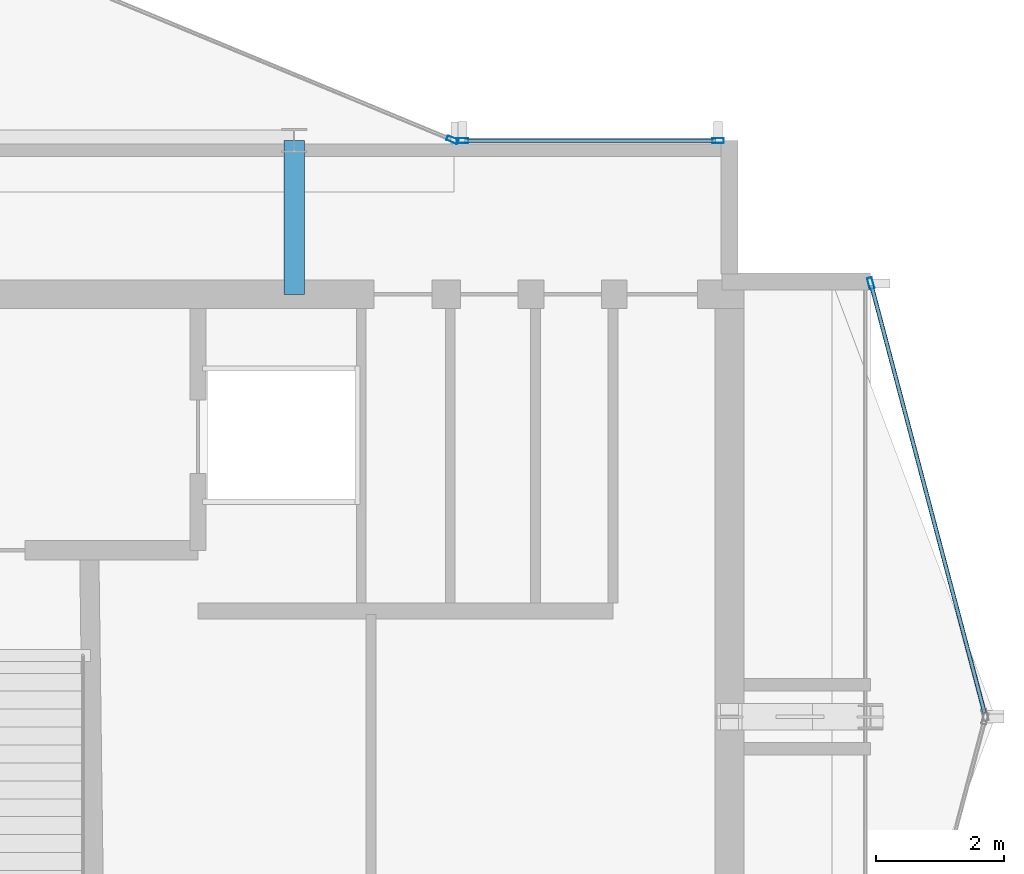
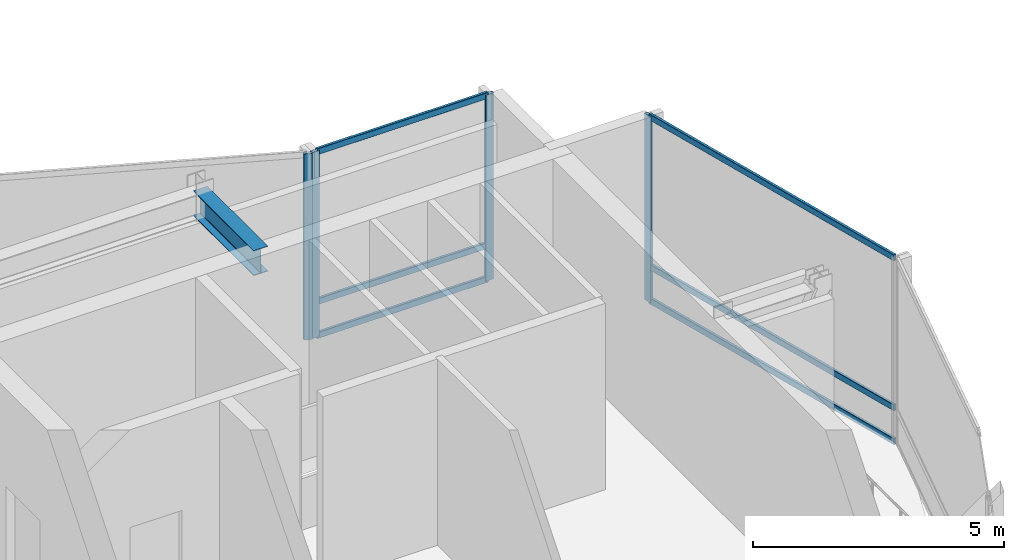
# One storey, part 12 of 23: 10 members, 1 beam, 3 elements without a shape of their own.
"""IFC4 building model written with IfcOpenShell, lengths in metres."""

from ifc_helpers import new_model, si_unit, direction, frame, origin, origin_2d, place, context, subcontext, project, spatial, hollow_rectangle, i_section, extrude, material, layer, layer_set, material_profile, profile_set, type_object, element, aggregate, save


model = new_model("IFC4")

# Units and contexts
model_context = context("Model", 3, precision=1e-05, world=origin(), true_north=direction((0.0, 1.0)))
body_context = subcontext(model_context, "Body", "Model", "MODEL_VIEW")
ifc_project = project(units=[si_unit("LENGTHUNIT", "METRE"), si_unit("AREAUNIT", "SQUARE_METRE"), si_unit("VOLUMEUNIT", "CUBIC_METRE"), si_unit("PLANEANGLEUNIT", "RADIAN"), si_unit("MASSUNIT", "GRAM", prefix="KILO")], contexts=[model_context])

# Site, building, storey
site_placement = place(None, origin())
site = spatial("IfcSite", under=ifc_project, at=site_placement, CompositionType="ELEMENT")
building_placement = place(site_placement, origin())
building = spatial("IfcBuilding", under=site, at=building_placement, Name="Solvaryn Broadcast Tower", CompositionType="ELEMENT")
storey_placement = place(building_placement, frame((0.0, 0.0, 285.199951171875)))
storey = spatial("IfcBuildingStorey", under=building, at=storey_placement, Name="L72", CompositionType="ELEMENT", Elevation=285.199951171875)

# Beam
ifc_material_1 = material(Name="Steel ASTM A992 Grade 50", Category="steel")
ifc_material_profile_1 = material_profile(ifc_material_1, i_section(OverallWidth=0.323974609375, OverallDepth=0.611083984375, WebThickness=0.0126953125, FlangeThickness=0.01904296875, FilletRadius=0.014892578125, at=origin_2d()))
ifc_profile_set_1 = profile_set([ifc_material_profile_1], Name="Steel ASTM A992 Grade 50")
beam_type = type_object("IfcBeamType", Name="BM-B1-W24X104", PredefinedType="BEAM", material=ifc_profile_set_1)
beam_placement = place(storey_placement, frame((36.0, 24.60009765625, 4.214599609375), z_axis=(0.0, 1.0, 0.0), x_axis=(-1.0, 0.0, 0.0)))
element("IfcBeam", 1, at=beam_placement, inside=storey, type_object=beam_type, Name="L72 Core Tie Beam CTE2", PredefinedType="BEAM", context=body_context, shape_type="SweptSolid", body=[
    extrude(i_section(OverallWidth=0.323974609375, OverallDepth=0.611083984375, WebThickness=0.0126953125, FlangeThickness=0.01904296875, FilletRadius=0.014892578125, at=origin_2d()), origin(), (0.0, 0.0, 1.0), 2.39990234375),
])

# Curtain wall, member
ifc_material_2 = material(Name="Aluminium and Terracotta Unitised Curtain Wall", Category="masonry")
ifc_layer = layer(ifc_material_2, 0.199951171875)
ifc_layer_set = layer_set([ifc_layer], Name="CW-SYS2-LOWMID")
curtain_wall_type = type_object("IfcCurtainWallType", Name="CW-SYS2-LOWMID", PredefinedType="NOTDEFINED", material=ifc_layer_set)
curtain_wall_1_placement = place(storey_placement, origin())
curtain_wall_1 = element("IfcCurtainWall", 2, at=curtain_wall_1_placement, inside=storey, type_object=curtain_wall_type, Name="L72 Curtain Wall CN1", PredefinedType="NOTDEFINED")
ifc_material_3 = material(Name="Anodised Aluminium 6063-T6", Category="aluminium")
ifc_material_profile_2 = material_profile(ifc_material_3, hollow_rectangle(XDim=0.074951171875, YDim=0.179931640625, WallThickness=0.00390625, InnerFilletRadius=0.00390625, OuterFilletRadius=0.008056640625, at=origin_2d()))
ifc_profile_set_2 = profile_set([ifc_material_profile_2], Name="Anodised Aluminium 6063-T6")
member_type_1 = type_object("IfcMemberType", Name="CW-MUL-180", PredefinedType="MULLION", material=ifc_profile_set_2)
member_1_placement = place(storey_placement, frame((38.47216796875, 27.011474609375, 0.0), z_axis=(0.0, 0.0, 1.0), x_axis=(-0.382646127145, -0.923894983957, 0.0)))
member_1 = element("IfcMember", 3, at=member_1_placement, type_object=member_type_1, Name="CWS2 mullion 1", PredefinedType="MULLION", context=body_context, shape_type="SweptSolid", body=[
    extrude(hollow_rectangle(XDim=0.074951171875, YDim=0.179931640625, WallThickness=0.00390625, InnerFilletRadius=0.00390625, OuterFilletRadius=0.008056640625, at=origin_2d()), origin(), (0.0, 0.0, 1.0), 4.52001953125),
])
aggregate(curtain_wall_1, [member_1])

curtain_wall_2_placement = place(storey_placement, origin())
curtain_wall_2 = element("IfcCurtainWall", 4, at=curtain_wall_2_placement, inside=storey, type_object=curtain_wall_type, Name="L72 Curtain Wall ET1", PredefinedType="NOTDEFINED")
member_2_placement = place(storey_placement, frame((45.007568359375, 24.77099609375, 0.0), z_axis=(0.0, 0.0, 1.0), x_axis=(0.966705227863, 0.25589256031, 0.0)))
member_2 = element("IfcMember", 5, at=member_2_placement, type_object=member_type_1, Name="CWS2 mullion 1", PredefinedType="MULLION", context=body_context, shape_type="SweptSolid", body=[
    extrude(hollow_rectangle(XDim=0.074951171875, YDim=0.179931640625, WallThickness=0.00390625, InnerFilletRadius=0.00390625, OuterFilletRadius=0.008056640625, at=origin_2d()), origin(), (0.0, 0.0, 1.0), 4.52001953125),
])

# Curtain wall, members
curtain_wall_3_placement = place(storey_placement, origin())
curtain_wall_3 = element("IfcCurtainWall", 6, at=curtain_wall_3_placement, inside=storey, type_object=curtain_wall_type, Name="L72 Curtain Wall IH", PredefinedType="NOTDEFINED")
member_3_placement = place(storey_placement, frame((38.6298828125, 27.0, 0.0), z_axis=(0.0, 0.0, 1.0), x_axis=(0.0, 1.0, 0.0)))
member_3 = element("IfcMember", 7, at=member_3_placement, type_object=member_type_1, Name="CWS2 mullion 1", PredefinedType="MULLION", context=body_context, shape_type="SweptSolid", body=[
    extrude(hollow_rectangle(XDim=0.074951171875, YDim=0.179931640625, WallThickness=0.00390625, InnerFilletRadius=0.00390625, OuterFilletRadius=0.008056640625, at=origin_2d()), origin(), (0.0, 0.0, 1.0), 4.52001953125),
])
member_4_placement = place(storey_placement, frame((42.6201171875, 27.0, 0.0), z_axis=(0.0, 0.0, 1.0), x_axis=(0.0, 1.0, 0.0)))
member_4 = element("IfcMember", 8, at=member_4_placement, type_object=member_type_1, Name="CWS2 mullion 2", PredefinedType="MULLION", context=body_context, shape_type="SweptSolid", body=[
    extrude(hollow_rectangle(XDim=0.074951171875, YDim=0.179931640625, WallThickness=0.00390625, InnerFilletRadius=0.00390625, OuterFilletRadius=0.008056640625, at=origin_2d()), origin(), (0.0, 0.0, 1.0), 4.52001953125),
])

# Member
ifc_material_4 = material(Name="Anodised Aluminium 6063-T6", Category="aluminium")
ifc_material_profile_3 = material_profile(ifc_material_4, hollow_rectangle(XDim=0.06494140625, YDim=0.14990234375, WallThickness=0.00390625, InnerFilletRadius=0.00390625, OuterFilletRadius=0.008056640625, at=origin_2d()))
ifc_profile_set_3 = profile_set([ifc_material_profile_3], Name="Anodised Aluminium 6063-T6")
member_type_2 = type_object("IfcMemberType", Name="CW-TRN-150", PredefinedType="USERDEFINED", material=ifc_profile_set_3)
member_5_placement = place(storey_placement, frame((45.015380859375, 24.741943359375, 0.030029296875), z_axis=(0.255897413051, -0.966703943301, 0.0), x_axis=(0.966703943301, 0.255897413051, 0.0)))
member_5 = element("IfcMember", 9, at=member_5_placement, type_object=member_type_2, Name="CWS2 transom 1.1", ObjectType="TRANSOM", PredefinedType="USERDEFINED", context=body_context, shape_type="SweptSolid", body=[
    extrude(hollow_rectangle(XDim=0.06494140625, YDim=0.14990234375, WallThickness=0.00390625, InnerFilletRadius=0.00390625, OuterFilletRadius=0.008056640625, at=origin_2d()), origin(), (0.0, 0.0, 1.0), 6.9140625),
])

member_6_placement = place(storey_placement, frame((45.015380859375, 24.741943359375, 0.85009765625), z_axis=(0.255897413051, -0.966703943301, 0.0), x_axis=(0.966703943301, 0.255897413051, 0.0)))
member_6 = element("IfcMember", 10, at=member_6_placement, type_object=member_type_2, Name="CWS2 transom 1.2", ObjectType="TRANSOM", PredefinedType="USERDEFINED", context=body_context, shape_type="SweptSolid", body=[
    extrude(hollow_rectangle(XDim=0.06494140625, YDim=0.14990234375, WallThickness=0.00390625, InnerFilletRadius=0.00390625, OuterFilletRadius=0.008056640625, at=origin_2d()), origin(), (0.0, 0.0, 1.0), 6.9140625),
])

member_7_placement = place(storey_placement, frame((45.015380859375, 24.741943359375, 4.489990234375), z_axis=(0.255897413051, -0.966703943301, 0.0), x_axis=(0.966703943301, 0.255897413051, 0.0)))
member_7 = element("IfcMember", 11, at=member_7_placement, type_object=member_type_2, Name="CWS2 transom 1.3", ObjectType="TRANSOM", PredefinedType="USERDEFINED", context=body_context, shape_type="SweptSolid", body=[
    extrude(hollow_rectangle(XDim=0.06494140625, YDim=0.14990234375, WallThickness=0.00390625, InnerFilletRadius=0.00390625, OuterFilletRadius=0.008056640625, at=origin_2d()), origin(), (0.0, 0.0, 1.0), 6.9140625),
])

aggregate(curtain_wall_2, [member_2, member_5, member_6, member_7])

member_8_placement = place(storey_placement, frame((38.659912109375, 27.0, 0.030029296875), z_axis=(1.0, 0.0, 0.0), x_axis=(0.0, 1.0, 0.0)))
member_8 = element("IfcMember", 12, at=member_8_placement, type_object=member_type_2, Name="CWS2 transom 1.1", ObjectType="TRANSOM", PredefinedType="USERDEFINED", context=body_context, shape_type="SweptSolid", body=[
    extrude(hollow_rectangle(XDim=0.06494140625, YDim=0.14990234375, WallThickness=0.00390625, InnerFilletRadius=0.00390625, OuterFilletRadius=0.008056640625, at=origin_2d()), origin(), (0.0, 0.0, 1.0), 3.93017578125),
])

member_9_placement = place(storey_placement, frame((38.659912109375, 27.0, 0.85009765625), z_axis=(1.0, 0.0, 0.0), x_axis=(0.0, 1.0, 0.0)))
member_9 = element("IfcMember", 13, at=member_9_placement, type_object=member_type_2, Name="CWS2 transom 1.2", ObjectType="TRANSOM", PredefinedType="USERDEFINED", context=body_context, shape_type="SweptSolid", body=[
    extrude(hollow_rectangle(XDim=0.06494140625, YDim=0.14990234375, WallThickness=0.00390625, InnerFilletRadius=0.00390625, OuterFilletRadius=0.008056640625, at=origin_2d()), origin(), (0.0, 0.0, 1.0), 3.93017578125),
])

member_10_placement = place(storey_placement, frame((38.659912109375, 27.0, 4.489990234375), z_axis=(1.0, 0.0, 0.0), x_axis=(0.0, 1.0, 0.0)))
member_10 = element("IfcMember", 14, at=member_10_placement, type_object=member_type_2, Name="CWS2 transom 1.3", ObjectType="TRANSOM", PredefinedType="USERDEFINED", context=body_context, shape_type="SweptSolid", body=[
    extrude(hollow_rectangle(XDim=0.06494140625, YDim=0.14990234375, WallThickness=0.00390625, InnerFilletRadius=0.00390625, OuterFilletRadius=0.008056640625, at=origin_2d()), origin(), (0.0, 0.0, 1.0), 3.93017578125),
])

aggregate(curtain_wall_3, [member_3, member_4, member_8, member_9, member_10])

save(model, "model.ifc")
